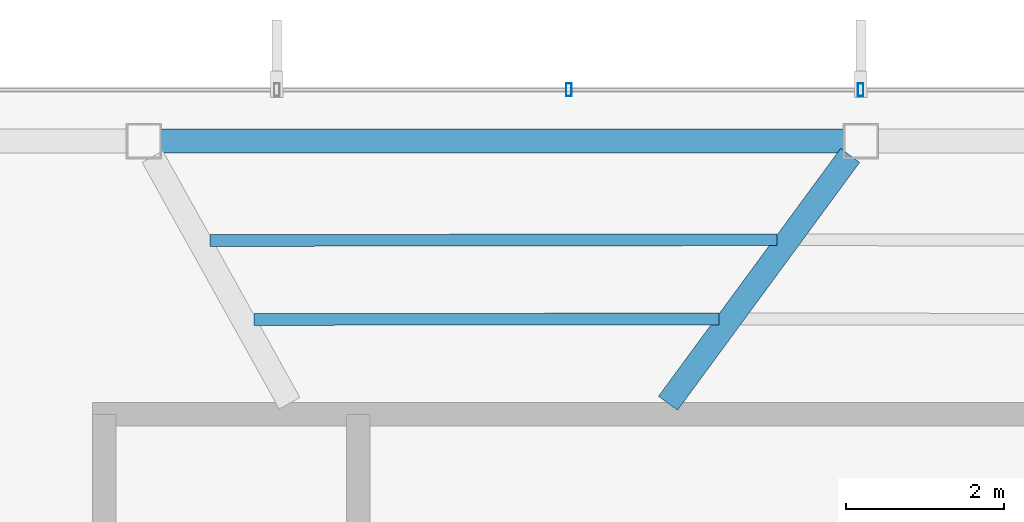
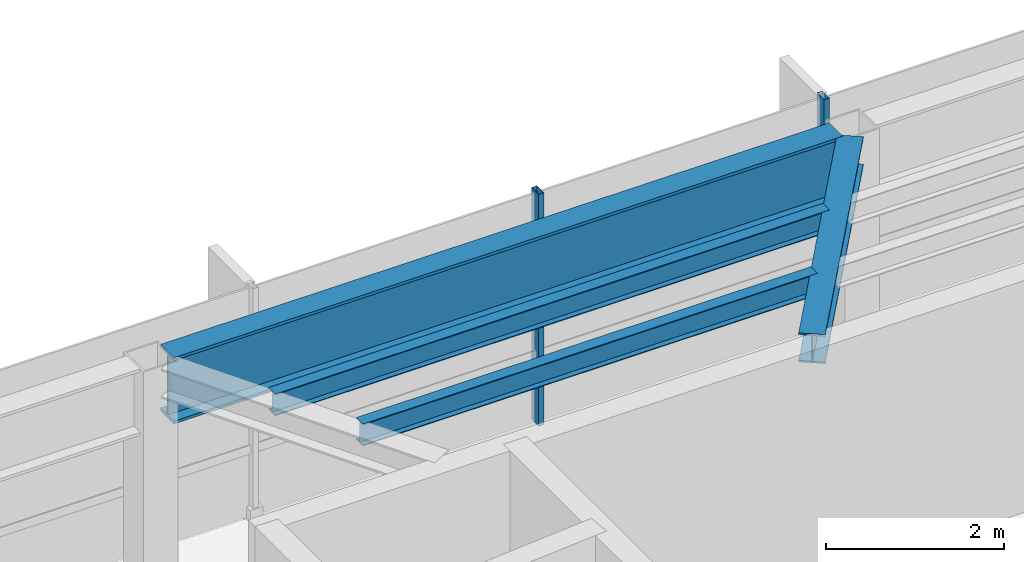
# One storey, part 12 of 22: 4 beams, 2 members, 1 element without a shape of its own.
"""IFC4 building model written with IfcOpenShell, lengths in metres."""

from ifc_helpers import new_model, si_unit, direction, frame, origin, origin_2d, place, context, subcontext, project, spatial, hollow_rectangle, i_section, extrude, material, layer, layer_set, material_profile, profile_set, type_object, element, aggregate, save


model = new_model("IFC4")

# Units and contexts
model_context = context("Model", 3, precision=1e-05, world=origin(), true_north=direction((0.0, 1.0)))
body_context = subcontext(model_context, "Body", "Model", "MODEL_VIEW")
ifc_project = project(units=[si_unit("LENGTHUNIT", "METRE"), si_unit("AREAUNIT", "SQUARE_METRE"), si_unit("VOLUMEUNIT", "CUBIC_METRE"), si_unit("PLANEANGLEUNIT", "RADIAN"), si_unit("MASSUNIT", "GRAM", prefix="KILO")], contexts=[model_context])

# Site, building, storey
site_placement = place(None, origin())
site = spatial("IfcSite", under=ifc_project, at=site_placement, CompositionType="ELEMENT")
building_placement = place(site_placement, origin())
building = spatial("IfcBuilding", under=site, at=building_placement, Name="Zarrinselat Tower", CompositionType="ELEMENT")
storey_placement = place(building_placement, frame((0.0, 0.0, 289.0)))
storey = spatial("IfcBuildingStorey", under=building, at=storey_placement, Name="L74", CompositionType="ELEMENT", Elevation=289.0)

# Beams
ifc_material_1 = material(Name="Steel S355J2", Category="steel")
ifc_material_profile_1 = material_profile(ifc_material_1, i_section(OverallWidth=0.300048828125, OverallDepth=0.39990234375, WebThickness=0.013427734375, FlangeThickness=0.02392578125, at=origin_2d()), Name="HEB 400")
ifc_profile_set_1 = profile_set([ifc_material_profile_1], Name="Steel S355J2")
beam_type_1 = type_object("IfcBeamType", Name="BM-HEB400", PredefinedType="BEAM", material=ifc_profile_set_1)
beam_1_placement = place(storey_placement, frame((35.800048828125, 43.5400390625, 2.97998046875), z_axis=(0.592293691828, 0.805722149764, 0.0), x_axis=(-0.805722149764, 0.592293691828, 0.0)))
element("IfcBeam", 1, at=beam_1_placement, inside=storey, type_object=beam_type_1, Name="L74 Radial Primary Girder RG03", PredefinedType="BEAM", context=body_context, shape_type="SweptSolid", body=[
    extrude(i_section(OverallWidth=0.300048828125, OverallDepth=0.39990234375, WebThickness=0.013427734375, FlangeThickness=0.02392578125, at=origin_2d()), origin(), (0.0, 0.0, 1.0), 3.90185546875),
])
ifc_material_2 = material(Name="Steel S460M", Category="steel")
ifc_material_profile_2 = material_profile(ifc_material_2, i_section(OverallWidth=0.302001953125, OverallDepth=0.909912109375, WebThickness=0.02099609375, FlangeThickness=0.0400390625, at=origin_2d()), Name="HEM 900")
ifc_profile_set_2 = profile_set([ifc_material_profile_2], Name="Steel S460M")
beam_type_2 = type_object("IfcBeamType", Name="BM-HEM900", PredefinedType="BEAM", material=ifc_profile_set_2)
beam_2_placement = place(storey_placement, frame((29.36328125, 46.86669921875, 2.72509765625), z_axis=(1.0, 0.0, 0.0), x_axis=(0.0, 1.0, 0.0)))
element("IfcBeam", 2, at=beam_2_placement, inside=storey, type_object=beam_type_2, Name="L74 Perimeter Spandrel Girder SP03", PredefinedType="BEAM", context=body_context, shape_type="SweptSolid", body=[
    extrude(i_section(OverallWidth=0.302001953125, OverallDepth=0.909912109375, WebThickness=0.02099609375, FlangeThickness=0.0400390625, at=origin_2d()), origin(), (0.0, 0.0, 1.0), 8.669189453125),
])
ifc_material_3 = material(Name="Steel S355J2", Category="steel")
ifc_material_profile_3 = material_profile(ifc_material_3, i_section(OverallWidth=0.14990234375, OverallDepth=0.300048828125, WebThickness=0.007080078125, FlangeThickness=0.0107421875, at=origin_2d()), Name="IPE 300")
ifc_profile_set_3 = profile_set([ifc_material_profile_3], Name="Steel S355J2")
beam_type_3 = type_object("IfcBeamType", Name="BM-IPE300", PredefinedType="JOIST", material=ifc_profile_set_3)
beam_3_placement = place(storey_placement, frame((29.991943359375, 45.60498046875, 3.030029296875), z_axis=(0.999999078477, 0.001357587671, 0.0), x_axis=(-0.001357587671, 0.999999078477, 0.0)))
element("IfcBeam", 3, at=beam_3_placement, inside=storey, type_object=beam_type_3, Name="L74 Composite Floor Joist 8-1", PredefinedType="JOIST", context=body_context, shape_type="SweptSolid", body=[
    extrude(i_section(OverallWidth=0.14990234375, OverallDepth=0.300048828125, WebThickness=0.007080078125, FlangeThickness=0.0107421875, at=origin_2d()), origin(), (0.0, 0.0, 1.0), 7.193359375),
])
beam_4_placement = place(storey_placement, frame((30.548583984375, 44.603759765625, 3.030029296875), z_axis=(0.999999622085, 0.000869384892, 0.0), x_axis=(-0.000869384892, 0.999999622085, 0.0)))
element("IfcBeam", 4, at=beam_4_placement, inside=storey, type_object=beam_type_3, Name="L74 Composite Floor Joist 8-2", PredefinedType="JOIST", context=body_context, shape_type="SweptSolid", body=[
    extrude(i_section(OverallWidth=0.14990234375, OverallDepth=0.300048828125, WebThickness=0.007080078125, FlangeThickness=0.0107421875, at=origin_2d()), origin(), (0.0, 0.0, 1.0), 5.897216796875),
])

# Curtain wall, members
ifc_material_4 = material(Name="Extruded Aluminium Alloy EN AW-6063 T6", Category="aluminium")
ifc_layer = layer(ifc_material_4, 0.169921875)
ifc_layer_set = layer_set([ifc_layer], Name="Extruded Aluminium Alloy EN AW-6063 T6")
curtain_wall_type = type_object("IfcCurtainWallType", Name="CWS-RES", PredefinedType="NOTDEFINED", material=ifc_layer_set)
curtain_wall_placement = place(storey_placement, origin())
curtain_wall = element("IfcCurtainWall", 5, at=curtain_wall_placement, inside=storey, type_object=curtain_wall_type, Name="L74 Unitised Curtain Wall CW-L74-E01", PredefinedType="NOTDEFINED")
ifc_material_5 = material(Name="Extruded Aluminium Alloy EN AW-6063 T6", Category="aluminium")
ifc_material_profile_4 = material_profile(ifc_material_5, hollow_rectangle(XDim=0.070068359375, YDim=0.159912109375, WallThickness=0.00390625, at=origin_2d()), Name="RHS 160x70x4")
ifc_profile_set_4 = profile_set([ifc_material_profile_4], Name="Extruded Aluminium Alloy EN AW-6063 T6")
member_type = type_object("IfcMemberType", Name="MEM-CW-MUL2", PredefinedType="MULLION", material=ifc_profile_set_4)
member_1_placement = place(storey_placement, frame((38.244140625, 47.5166015625, 0.0), z_axis=(0.0, 0.0, 1.0), x_axis=(-1.0, 0.0, 0.0)))
member_1 = element("IfcMember", 6, at=member_1_placement, type_object=member_type, Name="CW-L74-E01 Mullion 5", PredefinedType="MULLION", context=body_context, shape_type="SweptSolid", body=[
    extrude(hollow_rectangle(XDim=0.070068359375, YDim=0.159912109375, WallThickness=0.00390625, at=origin_2d()), origin(), (0.0, 0.0, 1.0), 3.179931640625),
])
member_2_placement = place(storey_placement, frame((34.54150390625, 47.5166015625, 0.0), z_axis=(0.0, 0.0, 1.0), x_axis=(-1.0, 0.0, 0.0)))
member_2 = element("IfcMember", 7, at=member_2_placement, type_object=member_type, Name="CW-L74-E01 Mullion 6", PredefinedType="MULLION", context=body_context, shape_type="SweptSolid", body=[
    extrude(hollow_rectangle(XDim=0.070068359375, YDim=0.159912109375, WallThickness=0.00390625, at=origin_2d()), origin(), (0.0, 0.0, 1.0), 3.179931640625),
])
aggregate(curtain_wall, [member_1, member_2])

save(model, "model.ifc")
